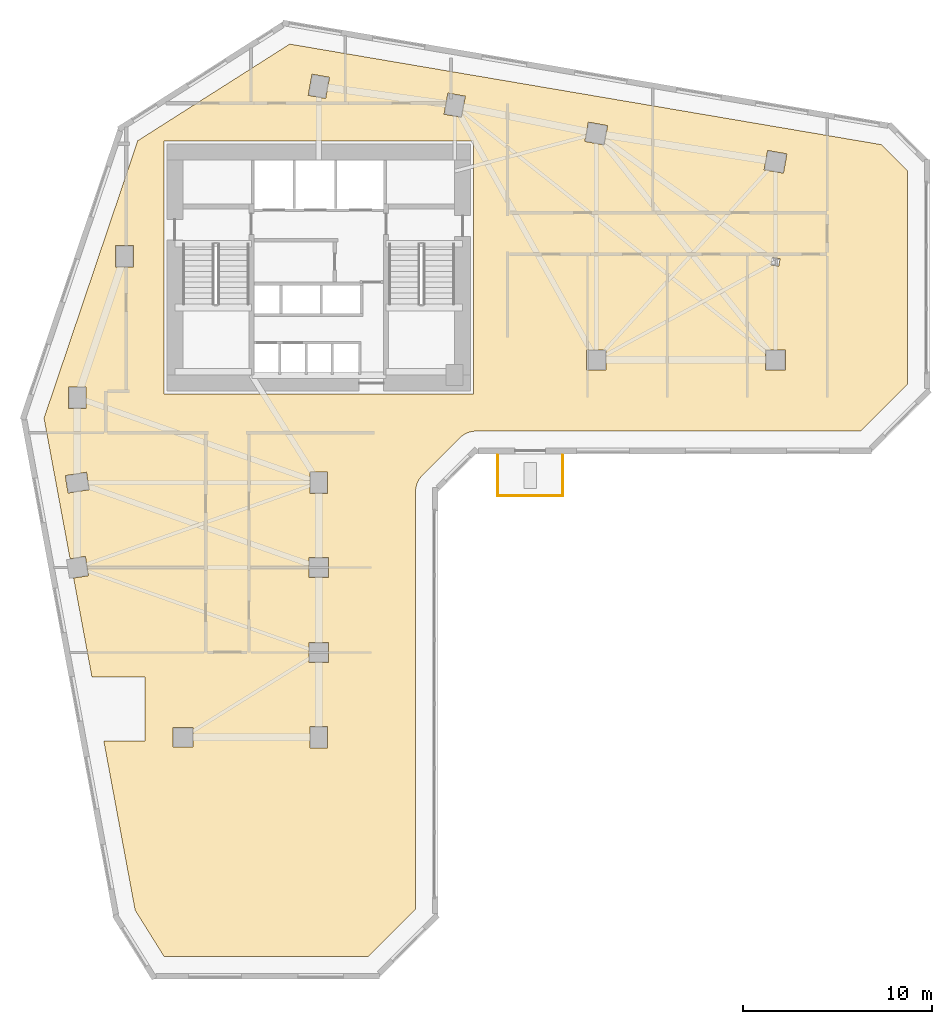
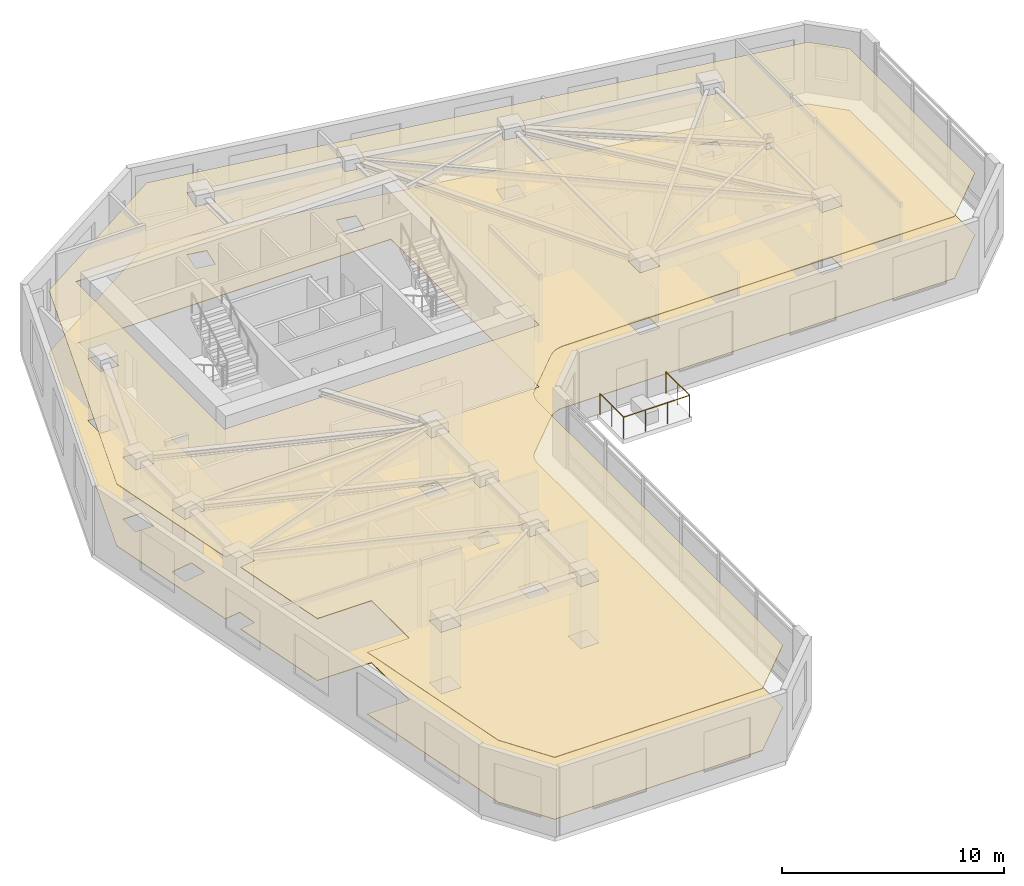
# One storey, part 8 of 9: 3 railings, 2 coverings.
"""IFC4 building model written with IfcOpenShell, lengths in metres."""

from ifc_helpers import new_model, si_unit, direction, frame, origin, origin_2d, place, context, subcontext, project, spatial, polyline, circle, outline, extrude, material, layer, layer_set, type_object, element, save


model = new_model("IFC4")

# Units and contexts
model_context = context("Model", 3, precision=1e-05, world=origin(), true_north=direction((0.0, 1.0)))
body_context = subcontext(model_context, "Body", "Model", "MODEL_VIEW")
ifc_project = project(units=[si_unit("LENGTHUNIT", "METRE"), si_unit("AREAUNIT", "SQUARE_METRE"), si_unit("VOLUMEUNIT", "CUBIC_METRE"), si_unit("PLANEANGLEUNIT", "RADIAN"), si_unit("MASSUNIT", "GRAM", prefix="KILO")], contexts=[model_context])

# Site, building, storey
site_placement = place(None, origin())
site = spatial("IfcSite", under=ifc_project, at=site_placement, CompositionType="ELEMENT")
building_placement = place(site_placement, origin())
building = spatial("IfcBuilding", under=site, at=building_placement, Name="Calvemar Wedge Station Tower", CompositionType="ELEMENT")
storey_placement = place(building_placement, frame((0.0, 0.0, 91.0)))
storey = spatial("IfcBuildingStorey", under=building, at=storey_placement, Name="L22", CompositionType="ELEMENT", Elevation=91.0)

# Coverings
ifc_material_1 = material(Name="Moisture-resistant gypsum ceiling")
ifc_layer_1 = layer(ifc_material_1, 0.0400390625)
ifc_layer_set_1 = layer_set([ifc_layer_1], Name="Moisture-resistant gypsum ceiling")
covering_type_1 = type_object("IfcCoveringType", Name="COV-CEIL-GYPSUM", PredefinedType="CEILING", material=ifc_layer_set_1)
covering_1_placement = place(storey_placement, frame((0.0, 0.0, 3.39990234375)))
element("IfcCovering", 1, at=covering_1_placement, inside=storey, type_object=covering_type_1, Name="Storey L22 Acoustic Suspended Ceiling", PredefinedType="CEILING", context=body_context, shape_type="SweptSolid", body=[
    extrude(outline(polyline([(29.279541015625, 28.87646484375), (31.279541015625, 30.87646484375), (31.36669921875, 30.95556640625), (31.461181640625, 31.02587890625), (31.562255859375, 31.086181640625), (31.668701171875, 31.13671875), (31.77978515625, 31.17626953125), (31.893798828125, 31.204833984375), (32.010498046875, 31.22216796875), (32.1279296875, 31.22802734375), (52.5029296875, 31.22802734375), (55.0, 33.72509765625), (55.0, 45.031005859375), (53.621826171875, 46.408935546875), (22.25439453125, 51.739501953125), (14.201416015625, 46.614990234375), (9.23681640625, 31.911865234375), (10.6162109375, 24.465087890625), (11.43115234375, 24.595703125), (11.595703125, 23.56884765625), (10.805908203125, 23.4423828125), (11.777099609375, 18.199951171875), (14.60009765625, 18.199951171875), (14.60009765625, 14.800048828125), (12.406982421875, 14.800048828125), (14.06640625, 5.8427734375), (15.593017578125, 3.39990234375), (26.430908203125, 3.39990234375), (28.927978515625, 5.897216796875), (28.927978515625, 28.028076171875), (28.933837890625, 28.1455078125), (28.951171875, 28.26220703125), (28.979736328125, 28.376220703125), (29.019287109375, 28.4873046875), (29.069580078125, 28.59375), (29.130126953125, 28.694580078125), (29.200439453125, 28.789306640625), (29.279541015625, 28.87646484375)]), holes=[polyline([(15.60009765625, 46.60009765625), (32.0, 46.60009765625), (32.0, 33.199951171875), (15.60009765625, 33.199951171875), (15.60009765625, 46.60009765625)]), polyline([(10.530029296875, 32.429931640625), (10.530029296875, 33.570068359375), (11.469970703125, 33.570068359375), (11.469970703125, 32.429931640625), (10.530029296875, 32.429931640625)]), polyline([(13.030029296875, 41.070068359375), (13.969970703125, 41.070068359375), (13.969970703125, 39.929931640625), (13.030029296875, 39.929931640625), (13.030029296875, 41.070068359375)]), polyline([(24.363525390625, 49.977783203125), (24.16162109375, 48.855712890625), (23.236572265625, 49.022216796875), (23.4384765625, 50.144287109375), (24.363525390625, 49.977783203125)]), polyline([(31.361572265625, 47.855712890625), (30.4365234375, 48.022216796875), (30.638427734375, 49.144287109375), (31.5634765625, 48.977783203125), (31.361572265625, 47.855712890625)]), polyline([(37.89599609375, 46.580322265625), (38.080322265625, 47.60400390625), (39.10400390625, 47.419677734375), (38.919677734375, 46.39599609375), (37.89599609375, 46.580322265625)]), polyline([(47.580322265625, 46.10400390625), (48.60400390625, 45.919677734375), (48.419677734375, 44.89599609375), (47.39599609375, 45.080322265625), (47.580322265625, 46.10400390625)]), polyline([(39.02001953125, 35.52001953125), (39.02001953125, 34.47998046875), (37.97998046875, 34.47998046875), (37.97998046875, 35.52001953125), (39.02001953125, 35.52001953125)]), polyline([(48.52001953125, 34.47998046875), (47.47998046875, 34.47998046875), (47.47998046875, 35.52001953125), (48.52001953125, 35.52001953125), (48.52001953125, 34.47998046875)]), polyline([(47.759765625, 40.033935546875), (47.832763671875, 40.439453125), (48.240234375, 40.3662109375), (48.167236328125, 39.960693359375), (47.759765625, 40.033935546875)]), polyline([(11.488525390625, 29.05419921875), (11.63720703125, 28.126220703125), (10.511474609375, 27.94580078125), (10.36279296875, 28.873779296875), (11.488525390625, 29.05419921875)]), polyline([(24.27001953125, 27.929931640625), (23.330078125, 27.929931640625), (23.330078125, 29.070068359375), (24.27001953125, 29.070068359375), (24.27001953125, 27.929931640625)]), polyline([(23.280029296875, 23.47998046875), (23.280029296875, 24.52001953125), (24.320068359375, 24.52001953125), (24.320068359375, 23.47998046875), (23.280029296875, 23.47998046875)]), polyline([(23.280029296875, 20.02001953125), (24.320068359375, 20.02001953125), (24.320068359375, 18.97998046875), (23.280029296875, 18.97998046875), (23.280029296875, 20.02001953125)]), polyline([(24.27001953125, 15.570068359375), (24.27001953125, 14.429931640625), (23.330078125, 14.429931640625), (23.330078125, 15.570068359375), (24.27001953125, 15.570068359375)]), polyline([(17.1201171875, 14.47998046875), (16.080078125, 14.47998046875), (16.080078125, 15.52001953125), (17.1201171875, 15.52001953125), (17.1201171875, 14.47998046875)])]), origin(), (0.0, 0.0, 1.0), 0.0400390625),
])
ifc_material_2 = material(Name="Commercial raised access floor")
ifc_layer_2 = layer(ifc_material_2, 0.030029296875)
ifc_layer_set_2 = layer_set([ifc_layer_2], Name="Commercial raised access floor")
covering_type_2 = type_object("IfcCoveringType", Name="COV-FLR-RAISED", PredefinedType="FLOORING", material=ifc_layer_set_2)
covering_2_placement = place(storey_placement, origin())
element("IfcCovering", 2, at=covering_2_placement, inside=storey, type_object=covering_type_2, Name="Storey L22 Architectural Floor Finish", PredefinedType="FLOORING", context=body_context, shape_type="SweptSolid", body=[
    extrude(outline(polyline([(29.279541015625, 28.87646484375), (31.279541015625, 30.87646484375), (31.36669921875, 30.95556640625), (31.461181640625, 31.02587890625), (31.562255859375, 31.086181640625), (31.668701171875, 31.13671875), (31.77978515625, 31.17626953125), (31.893798828125, 31.204833984375), (32.010498046875, 31.22216796875), (32.1279296875, 31.22802734375), (52.5029296875, 31.22802734375), (55.0, 33.72509765625), (55.0, 45.031005859375), (53.621826171875, 46.408935546875), (22.25439453125, 51.739501953125), (14.201416015625, 46.614990234375), (9.23681640625, 31.911865234375), (10.6162109375, 24.465087890625), (11.43115234375, 24.595703125), (11.595703125, 23.56884765625), (10.805908203125, 23.4423828125), (11.777099609375, 18.199951171875), (14.60009765625, 18.199951171875), (14.60009765625, 14.800048828125), (12.406982421875, 14.800048828125), (14.06640625, 5.8427734375), (15.593017578125, 3.39990234375), (26.430908203125, 3.39990234375), (28.927978515625, 5.897216796875), (28.927978515625, 28.028076171875), (28.933837890625, 28.1455078125), (28.951171875, 28.26220703125), (28.979736328125, 28.376220703125), (29.019287109375, 28.4873046875), (29.069580078125, 28.59375), (29.130126953125, 28.694580078125), (29.200439453125, 28.789306640625), (29.279541015625, 28.87646484375)]), holes=[polyline([(15.60009765625, 46.60009765625), (32.0, 46.60009765625), (32.0, 33.199951171875), (15.60009765625, 33.199951171875), (15.60009765625, 46.60009765625)]), polyline([(10.530029296875, 32.429931640625), (10.530029296875, 33.570068359375), (11.469970703125, 33.570068359375), (11.469970703125, 32.429931640625), (10.530029296875, 32.429931640625)]), polyline([(13.030029296875, 41.070068359375), (13.969970703125, 41.070068359375), (13.969970703125, 39.929931640625), (13.030029296875, 39.929931640625), (13.030029296875, 41.070068359375)]), polyline([(24.363525390625, 49.977783203125), (24.16162109375, 48.855712890625), (23.236572265625, 49.022216796875), (23.4384765625, 50.144287109375), (24.363525390625, 49.977783203125)]), polyline([(31.361572265625, 47.855712890625), (30.4365234375, 48.022216796875), (30.638427734375, 49.144287109375), (31.5634765625, 48.977783203125), (31.361572265625, 47.855712890625)]), polyline([(37.89599609375, 46.580322265625), (38.080322265625, 47.60400390625), (39.10400390625, 47.419677734375), (38.919677734375, 46.39599609375), (37.89599609375, 46.580322265625)]), polyline([(47.580322265625, 46.10400390625), (48.60400390625, 45.919677734375), (48.419677734375, 44.89599609375), (47.39599609375, 45.080322265625), (47.580322265625, 46.10400390625)]), polyline([(39.02001953125, 35.52001953125), (39.02001953125, 34.47998046875), (37.97998046875, 34.47998046875), (37.97998046875, 35.52001953125), (39.02001953125, 35.52001953125)]), polyline([(48.52001953125, 34.47998046875), (47.47998046875, 34.47998046875), (47.47998046875, 35.52001953125), (48.52001953125, 35.52001953125), (48.52001953125, 34.47998046875)]), polyline([(47.759765625, 40.033935546875), (47.832763671875, 40.439453125), (48.240234375, 40.3662109375), (48.167236328125, 39.960693359375), (47.759765625, 40.033935546875)]), polyline([(11.488525390625, 29.05419921875), (11.63720703125, 28.126220703125), (10.511474609375, 27.94580078125), (10.36279296875, 28.873779296875), (11.488525390625, 29.05419921875)]), polyline([(24.27001953125, 27.929931640625), (23.330078125, 27.929931640625), (23.330078125, 29.070068359375), (24.27001953125, 29.070068359375), (24.27001953125, 27.929931640625)]), polyline([(23.280029296875, 23.47998046875), (23.280029296875, 24.52001953125), (24.320068359375, 24.52001953125), (24.320068359375, 23.47998046875), (23.280029296875, 23.47998046875)]), polyline([(23.280029296875, 20.02001953125), (24.320068359375, 20.02001953125), (24.320068359375, 18.97998046875), (23.280029296875, 18.97998046875), (23.280029296875, 20.02001953125)]), polyline([(24.27001953125, 15.570068359375), (24.27001953125, 14.429931640625), (23.330078125, 14.429931640625), (23.330078125, 15.570068359375), (24.27001953125, 15.570068359375)]), polyline([(17.1201171875, 14.47998046875), (16.080078125, 14.47998046875), (16.080078125, 15.52001953125), (17.1201171875, 15.52001953125), (17.1201171875, 14.47998046875)])]), origin(), (0.0, 0.0, 1.0), 0.030029296875),
])

# Railings
ifc_material_3 = material(Name="Stainless steel AISI 316L", Category="steel")
railing_type = type_object("IfcRailingType", Name="GRD-TERR-1200", PredefinedType="GUARDRAIL", material=ifc_material_3)
railing_1_placement = place(storey_placement, frame((36.719970703125, 29.947998046875, 0.0)))
element("IfcRailing", 3, at=railing_1_placement, inside=storey, type_object=railing_type, Name="Storey L22 Spiral Terrace Guard 2", PredefinedType="GUARDRAIL", context=body_context, shape_type="SweptSolid", body=[
    extrude(circle(Radius=0.02392578125, at=origin_2d()), frame((0.0, 0.0, 1.17578125), z_axis=(0.0, -1.0, 0.0), x_axis=(1.0, 0.0, 0.0)), (0.0, 0.0, 1.0), 2.139892578125),
    extrude(circle(Radius=0.02099609375, at=origin_2d()), origin(), (0.0, 0.0, 1.0), 1.15185546875),
    extrude(circle(Radius=0.02099609375, at=origin_2d()), frame((0.0, -1.06982421875, 0.0)), (0.0, 0.0, 1.0), 1.15185546875),
    extrude(circle(Radius=0.02099609375, at=origin_2d()), frame((0.0, -2.139892578125, 0.0)), (0.0, 0.0, 1.0), 1.15185546875),
])
railing_2_placement = place(storey_placement, frame((36.719970703125, 27.80810546875, 0.0)))
element("IfcRailing", 4, at=railing_2_placement, inside=storey, type_object=railing_type, Name="Storey L22 Spiral Terrace Guard 3", PredefinedType="GUARDRAIL", context=body_context, shape_type="SweptSolid", body=[
    extrude(circle(Radius=0.02392578125, at=origin_2d()), frame((0.0, 0.0, 1.17578125), z_axis=(-1.0, 0.0, 0.0), x_axis=(0.0, -1.0, 0.0)), (0.0, 0.0, 1.0), 3.43994140625),
    extrude(circle(Radius=0.02099609375, at=origin_2d()), origin(), (0.0, 0.0, 1.0), 1.15185546875),
    extrude(circle(Radius=0.02099609375, at=origin_2d()), frame((-1.146728515625, 0.0, 0.0)), (0.0, 0.0, 1.0), 1.15185546875),
    extrude(circle(Radius=0.02099609375, at=origin_2d()), frame((-2.293212890625, 0.0, 0.0)), (0.0, 0.0, 1.0), 1.15185546875),
    extrude(circle(Radius=0.02099609375, at=origin_2d()), frame((-3.43994140625, 0.0, 0.0)), (0.0, 0.0, 1.0), 1.15185546875),
])
railing_3_placement = place(storey_placement, frame((33.280029296875, 27.80810546875, 0.0)))
element("IfcRailing", 5, at=railing_3_placement, inside=storey, type_object=railing_type, Name="Storey L22 Spiral Terrace Guard 4", PredefinedType="GUARDRAIL", context=body_context, shape_type="SweptSolid", body=[
    extrude(circle(Radius=0.02392578125, at=origin_2d()), frame((0.0, 0.0, 1.17578125), z_axis=(0.0, 1.0, 0.0), x_axis=(-1.0, 0.0, 0.0)), (0.0, 0.0, 1.0), 2.139892578125),
    extrude(circle(Radius=0.02099609375, at=origin_2d()), origin(), (0.0, 0.0, 1.0), 1.15185546875),
    extrude(circle(Radius=0.02099609375, at=origin_2d()), frame((0.0, 1.06982421875, 0.0)), (0.0, 0.0, 1.0), 1.15185546875),
    extrude(circle(Radius=0.02099609375, at=origin_2d()), frame((0.0, 2.139892578125, 0.0)), (0.0, 0.0, 1.0), 1.15185546875),
])

save(model, "model.ifc")
